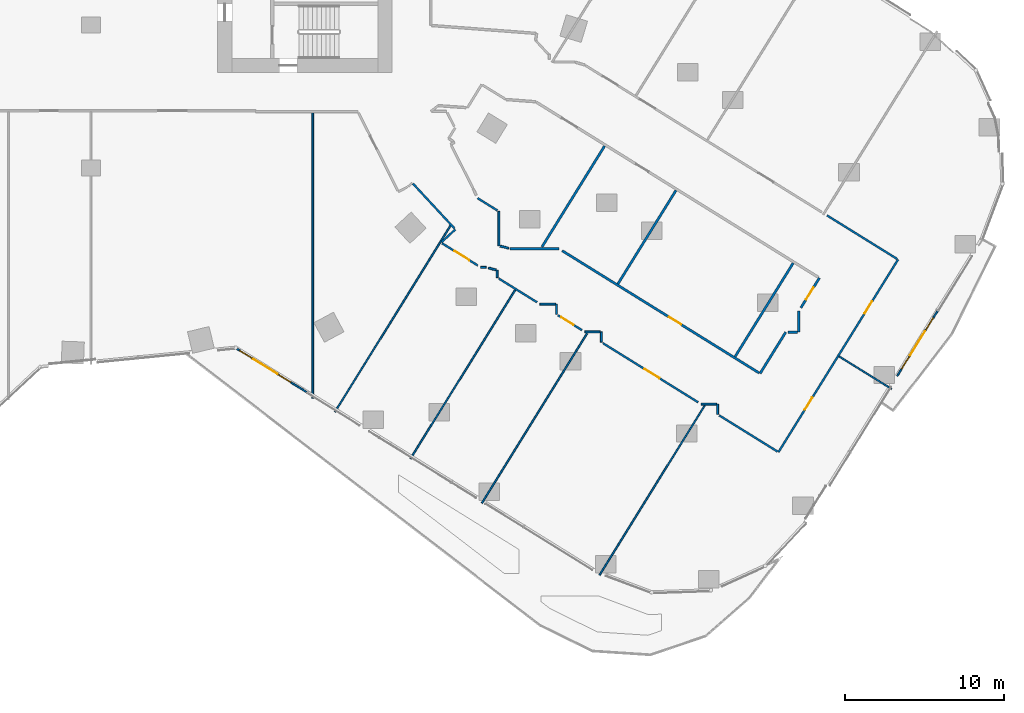
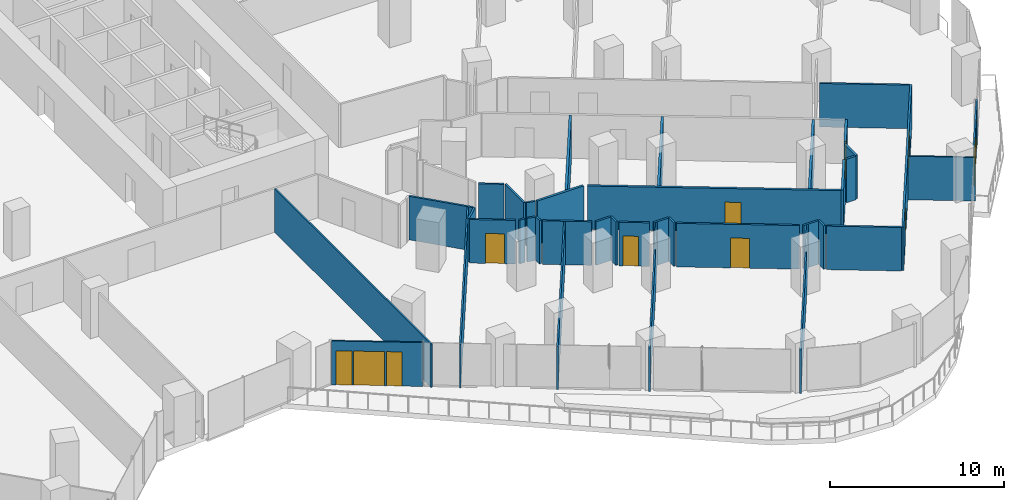
# One storey, part 26 of 34: 38 walls, 9 doors, 4 windows, 13 openings.
"""IFC4 building model written with IfcOpenShell, lengths in metres."""

from ifc_helpers import new_model, si_unit, direction, frame, frame_2d, origin, place, context, subcontext, project, spatial, rectangle, extrude, material, layer, layer_set, type_object, element, fill, save


model = new_model("IFC4")

# Units and contexts
model_context = context("Model", 3, precision=1e-05, world=origin(), true_north=direction((0.0, 1.0)))
body_context = subcontext(model_context, "Body", "Model", "MODEL_VIEW")
ifc_project = project(units=[si_unit("LENGTHUNIT", "METRE"), si_unit("AREAUNIT", "SQUARE_METRE"), si_unit("VOLUMEUNIT", "CUBIC_METRE"), si_unit("PLANEANGLEUNIT", "RADIAN"), si_unit("MASSUNIT", "GRAM", prefix="KILO")], contexts=[model_context])

# Site, building, storey
site_placement = place(None, origin())
site = spatial("IfcSite", under=ifc_project, at=site_placement, CompositionType="ELEMENT")
building_placement = place(site_placement, origin())
building = spatial("IfcBuilding", under=site, at=building_placement, Name="Orlundy Tower", CompositionType="ELEMENT")
storey_placement = place(building_placement, frame((0.0, 0.0, 37.300048828125)))
storey = spatial("IfcBuildingStorey", under=building, at=storey_placement, Name="L07", CompositionType="ELEMENT", Elevation=37.300048828125)

# Walls
ifc_material_1 = material(Name="Gypsum board partition")
ifc_layer_1 = layer(ifc_material_1, 0.10009765625)
ifc_layer_set_1 = layer_set([ifc_layer_1], Name="Floor partition 100")
wall_type_1 = type_object("IfcWallType", Name="Floor partition 100", PredefinedType="PARTITIONING", material=ifc_layer_set_1)
wall_1_placement = place(storey_placement, frame((47.196044921875, -29.889892578125, 0.0), z_axis=(0.0, 0.0, 1.0), x_axis=(0.84964889907, -0.527348791891, 0.0)))
element("IfcWall", 1, at=wall_1_placement, inside=storey, type_object=wall_type_1, Name="wall-int-L07-029", PredefinedType="PARTITIONING", context=body_context, shape_type="SweptSolid", body=[
    extrude(rectangle(XDim=3.887451171875, YDim=0.10009765625, at=frame_2d((1.94384765625, 0.0))), origin(), (0.0, 0.0, 1.0), 3.06005859375),
])
wall_2_placement = place(storey_placement, frame((32.08203125, -43.68798828125, 0.0), z_axis=(0.0, 0.0, 1.0), x_axis=(0.527487900205, 0.849562543394, 0.0)))
element("IfcWall", 2, at=wall_2_placement, inside=storey, type_object=wall_type_1, Name="wall-int-L07-088", PredefinedType="PARTITIONING", context=body_context, shape_type="SweptSolid", body=[
    extrude(rectangle(XDim=12.587646484375, YDim=0.10009765625, at=frame_2d((6.2939453125, 0.0))), origin(), (0.0, 0.0, 1.0), 3.06005859375),
])
wall_3_placement = place(storey_placement, frame((24.662109375, -39.14599609375, 0.0), z_axis=(0.0, 0.0, 1.0), x_axis=(0.527433265795, 0.849596463112, 0.0)))
element("IfcWall", 3, at=wall_3_placement, inside=storey, type_object=wall_type_1, Name="wall-int-L07-091", PredefinedType="PARTITIONING", context=body_context, shape_type="SweptSolid", body=[
    extrude(rectangle(XDim=12.6025390625, YDim=0.10009765625, at=frame_2d((6.30126953125, 0.0))), origin(), (0.0, 0.0, 1.0), 3.06005859375),
])
wall_4_placement = place(storey_placement, frame((20.158935546875, -36.35009765625, 0.0), z_axis=(0.0, 0.0, 1.0), x_axis=(0.527477742042, 0.849568850447, 0.0)))
element("IfcWall", 4, at=wall_4_placement, inside=storey, type_object=wall_type_1, Name="wall-int-L07-094", PredefinedType="PARTITIONING", context=body_context, shape_type="SweptSolid", body=[
    extrude(rectangle(XDim=12.537109375, YDim=0.10009765625, at=frame_2d((6.2685546875, 0.0))), origin(), (0.0, 0.0, 1.0), 3.06005859375),
])
wall_5_placement = place(storey_placement, frame((15.39599609375, -33.39306640625, 0.0), z_axis=(0.0, 0.0, 1.0), x_axis=(0.527468891267, 0.849574345626, 0.0)))
element("IfcWall", 5, at=wall_5_placement, inside=storey, type_object=wall_type_1, Name="wall-int-L07-097", PredefinedType="PARTITIONING", context=body_context, shape_type="SweptSolid", body=[
    extrude(rectangle(XDim=13.81298828125, YDim=0.10009765625, at=frame_2d((6.906494140625, 0.0))), origin(), (0.0, 0.0, 1.0), 3.06005859375),
])
wall_6_placement = place(storey_placement, frame((14.0, -32.527099609375, 0.0), z_axis=(0.0, 0.0, 1.0), x_axis=(0.0, 1.0, 0.0)))
element("IfcWall", 6, at=wall_6_placement, inside=storey, type_object=wall_type_1, Name="wall-int-L07-115", PredefinedType="PARTITIONING", context=body_context, shape_type="SweptSolid", body=[
    extrude(rectangle(XDim=18.01318359375, YDim=0.10009765625, at=frame_2d((9.006591796875, 0.0))), origin(), (0.0, 0.0, 1.0), 3.06005859375),
])
ifc_material_2 = material(Name="Gypsum board partition, double layer")
ifc_layer_2 = layer(ifc_material_2, 0.125)
ifc_layer_set_2 = layer_set([ifc_layer_2], Name="Floor partition 125")
wall_type_2 = type_object("IfcWallType", Name="Floor partition 125", PredefinedType="PARTITIONING", material=ifc_layer_set_2)
wall_7_placement = place(storey_placement, frame((20.31689453125, -18.993896484375, 0.0), z_axis=(0.0, 0.0, 1.0), x_axis=(0.679757225535, -0.733437191812, 0.0)))
element("IfcWall", 7, at=wall_7_placement, inside=storey, type_object=wall_type_2, Name="wall-int-L07-010", PredefinedType="PARTITIONING", context=body_context, shape_type="SweptSolid", body=[
    extrude(rectangle(XDim=3.875, YDim=0.125, at=frame_2d((1.9375, 0.0))), origin(), (0.0, 0.0, 1.0), 3.06005859375),
])
wall_8_placement = place(storey_placement, frame((24.39501953125, -19.912109375, 0.0), z_axis=(0.0, 0.0, 1.0), x_axis=(0.849378003629, -0.527785000689, 0.0)))
element("IfcWall", 8, at=wall_8_placement, inside=storey, type_object=wall_type_2, Name="wall-int-L07-022", PredefinedType="PARTITIONING", context=body_context, shape_type="SweptSolid", body=[
    extrude(rectangle(XDim=1.46826171875, YDim=0.125, at=frame_2d((0.734130859375, 0.0))), origin(), (0.0, 0.0, 1.0), 3.06005859375),
])

# Wall, opening, door
wall_9_placement = place(storey_placement, frame((30.97509765625, -28.23388671875, 0.0), z_axis=(0.0, 0.0, 1.0), x_axis=(-0.850042036272, 0.52671485319, 0.0)))
wall_9 = element("IfcWall", 9, at=wall_9_placement, inside=storey, type_object=wall_type_2, Name="wall-int-L07-023", PredefinedType="PARTITIONING", context=body_context, shape_type="SweptSolid", body=[
    extrude(rectangle(XDim=1.77294921875, YDim=0.125, at=frame_2d((0.886474609375, 0.0))), origin(), (0.0, 0.0, 1.0), 3.06005859375),
])
opening_1_placement = place(wall_9_placement, frame((0.630615234375, 0.0, 0.0)))
opening_1 = element("IfcOpeningElement", 10, at=opening_1_placement, cuts=wall_9, Name="Opening 08110", PredefinedType="OPENING", context=body_context, shape_type="SweptSolid", body=[
    extrude(rectangle(XDim=0.89990234375, YDim=2.10009765625, at=frame_2d((0.449951171875, 1.050048828125))), frame((0.0, 0.072509765625, 0.0), z_axis=(0.0, -1.0, 0.0), x_axis=(1.0, 0.0, 0.0)), (0.0, 0.0, 1.0), 0.14501953125),
])
ifc_material_3 = material(Name="Timber door leaf", Category="wood")
door_type_1 = type_object("IfcDoorType", Name="Floor door single 900 FD30S", OperationType="NOTDEFINED", PredefinedType="DOOR", material=ifc_material_3)
door_1_placement = place(opening_1_placement, origin())
door_1 = element("IfcDoor", 11, at=door_1_placement, inside=storey, type_object=door_type_1, Name="Door 08110", OperationType="SINGLE_SWING_RIGHT", OverallHeight=2.10009765625, OverallWidth=0.89990234375, PredefinedType="DOOR", context=body_context, shape_type="SweptSolid", body=[
    extrude(rectangle(XDim=0.89990234375, YDim=2.10009765625, at=frame_2d((0.449951171875, 1.050048828125))), frame((0.0, 0.02490234375, 0.0), z_axis=(0.0, -1.0, 0.0), x_axis=(1.0, 0.0, 0.0)), (0.0, 0.0, 1.0), 0.050048828125),
])
fill(opening_1, door_1)

wall_10_placement = place(storey_placement, frame((24.406005859375, -24.156005859375, 0.0), z_axis=(0.0, 0.0, 1.0), x_axis=(-0.849654435135, 0.527339872241, 0.0)))
wall_10 = element("IfcWall", 12, at=wall_10_placement, inside=storey, type_object=wall_type_2, Name="wall-int-L07-024", PredefinedType="PARTITIONING", context=body_context, shape_type="SweptSolid", body=[
    extrude(rectangle(XDim=2.6435546875, YDim=0.125, at=frame_2d((1.32177734375, 0.0))), origin(), (0.0, 0.0, 1.0), 3.06005859375),
])
opening_2_placement = place(wall_10_placement, frame((0.630859375, 0.0, 0.0)))
opening_2 = element("IfcOpeningElement", 13, at=opening_2_placement, cuts=wall_10, Name="Opening 08109", PredefinedType="OPENING", context=body_context, shape_type="SweptSolid", body=[
    extrude(rectangle(XDim=1.10009765625, YDim=2.10009765625, at=frame_2d((0.550048828125, 1.050048828125))), frame((0.0, 0.072509765625, 0.0), z_axis=(0.0, -1.0, 0.0), x_axis=(1.0, 0.0, 0.0)), (0.0, 0.0, 1.0), 0.14501953125),
])
ifc_material_4 = material(Name="Timber door leaf", Category="wood")
door_type_2 = type_object("IfcDoorType", Name="Floor door xwide 1100 FD30S", OperationType="NOTDEFINED", PredefinedType="DOOR", material=ifc_material_4)
door_2_placement = place(opening_2_placement, origin())
door_2 = element("IfcDoor", 14, at=door_2_placement, inside=storey, type_object=door_type_2, Name="Door 08109", OperationType="SINGLE_SWING_LEFT", OverallHeight=2.10009765625, OverallWidth=1.10009765625, PredefinedType="DOOR", context=body_context, shape_type="SweptSolid", body=[
    extrude(rectangle(XDim=1.10009765625, YDim=2.10009765625, at=frame_2d((0.550048828125, 1.050048828125))), frame((0.0, 0.02490234375, 0.0), z_axis=(0.0, -1.0, 0.0), x_axis=(1.0, 0.0, 0.0)), (0.0, 0.0, 1.0), 0.050048828125),
])
fill(opening_2, door_2)

# Wall
wall_11_placement = place(storey_placement, frame((25.72998046875, -24.97900390625, 0.0), z_axis=(0.0, 0.0, 1.0), x_axis=(0.849693269932, -0.527277296147, 0.0)))
element("IfcWall", 15, at=wall_11_placement, inside=storey, type_object=wall_type_2, Name="wall-int-L07-025", PredefinedType="PARTITIONING", context=body_context, shape_type="SweptSolid", body=[
    extrude(rectangle(XDim=2.841064453125, YDim=0.125, at=frame_2d((1.42041015625, 0.0))), origin(), (0.0, 0.0, 1.0), 3.06005859375),
])

# Wall, opening, door
wall_12_placement = place(storey_placement, frame((38.31005859375, -32.7880859375, 0.0), z_axis=(0.0, 0.0, 1.0), x_axis=(-0.849663629849, 0.527325057352, 0.0)))
wall_12 = element("IfcWall", 16, at=wall_12_placement, inside=storey, type_object=wall_type_2, Name="wall-int-L07-026", PredefinedType="PARTITIONING", context=body_context, shape_type="SweptSolid", body=[
    extrude(rectangle(XDim=7.073486328125, YDim=0.125, at=frame_2d((3.53662109375, 0.0))), origin(), (0.0, 0.0, 1.0), 3.06005859375),
])
opening_3_placement = place(wall_12_placement, frame((2.880859375, 0.0, 0.0)))
opening_3 = element("IfcOpeningElement", 17, at=opening_3_placement, cuts=wall_12, Name="Opening 08111", PredefinedType="OPENING", context=body_context, shape_type="SweptSolid", body=[
    extrude(rectangle(XDim=1.10009765625, YDim=2.10009765625, at=frame_2d((0.550048828125, 1.050048828125))), frame((0.0, 0.072509765625, 0.0), z_axis=(0.0, -1.0, 0.0), x_axis=(1.0, 0.0, 0.0)), (0.0, 0.0, 1.0), 0.14501953125),
])
door_3_placement = place(opening_3_placement, origin())
door_3 = element("IfcDoor", 18, at=door_3_placement, inside=storey, type_object=door_type_2, Name="Door 08111", OperationType="SINGLE_SWING_LEFT", OverallHeight=2.10009765625, OverallWidth=1.10009765625, PredefinedType="DOOR", context=body_context, shape_type="SweptSolid", body=[
    extrude(rectangle(XDim=1.10009765625, YDim=2.10009765625, at=frame_2d((0.550048828125, 1.050048828125))), frame((0.0, 0.02490234375, 0.0), z_axis=(0.0, -1.0, 0.0), x_axis=(1.0, 0.0, 0.0)), (0.0, 0.0, 1.0), 0.050048828125),
])
fill(opening_3, door_3)

# Walls
wall_13_placement = place(storey_placement, frame((39.635009765625, -33.612060546875, 0.0), z_axis=(0.0, 0.0, 1.0), x_axis=(0.849721068894, -0.527232496226, 0.0)))
element("IfcWall", 19, at=wall_13_placement, inside=storey, type_object=wall_type_2, Name="wall-int-L07-027", PredefinedType="PARTITIONING", context=body_context, shape_type="SweptSolid", body=[
    extrude(rectangle(XDim=4.335693359375, YDim=0.125, at=frame_2d((2.16796875, 0.0))), origin(), (0.0, 0.0, 1.0), 3.06005859375),
])
wall_14_placement = place(storey_placement, frame((46.43896484375, -21.0029296875, 0.0), z_axis=(0.0, 0.0, 1.0), x_axis=(0.849609726163, -0.527411900899, 0.0)))
element("IfcWall", 20, at=wall_14_placement, inside=storey, type_object=wall_type_2, Name="wall-int-L07-032", PredefinedType="PARTITIONING", context=body_context, shape_type="SweptSolid", body=[
    extrude(rectangle(XDim=5.204833984375, YDim=0.125, at=frame_2d((2.6025390625, 0.0))), origin(), (0.0, 0.0, 1.0), 3.06005859375),
])
wall_15_placement = place(storey_placement, frame((25.077880859375, -24.31396484375, 0.0), z_axis=(0.0, 0.0, 1.0), x_axis=(0.96949965475, -0.245092675207, 0.0)))
element("IfcWall", 21, at=wall_15_placement, inside=storey, type_object=wall_type_2, Name="wall-int-L07-037", PredefinedType="PARTITIONING", context=body_context, shape_type="SweptSolid", body=[
    extrude(rectangle(XDim=0.494140625, YDim=0.125, at=frame_2d((0.2470703125, 0.0))), origin(), (0.0, 0.0, 1.0), 3.06005859375),
])
wall_16_placement = place(storey_placement, frame((25.81689453125, -22.93310546875, 0.0), z_axis=(0.0, 0.0, 1.0), x_axis=(0.96962366247, -0.244601621375, 0.0)))
element("IfcWall", 22, at=wall_16_placement, inside=storey, type_object=wall_type_2, Name="wall-int-L07-038", PredefinedType="PARTITIONING", context=body_context, shape_type="SweptSolid", body=[
    extrude(rectangle(XDim=0.555908203125, YDim=0.125, at=frame_2d((0.27783203125, 0.0))), origin(), (0.0, 0.0, 1.0), 3.06005859375),
])
wall_17_placement = place(storey_placement, frame((38.49609375, -32.905029296875, 0.0), z_axis=(0.0, 0.0, 1.0), x_axis=(1.0, 0.0, 0.0)))
element("IfcWall", 23, at=wall_17_placement, inside=storey, type_object=wall_type_2, Name="wall-int-L07-045", PredefinedType="PARTITIONING", context=body_context, shape_type="SweptSolid", body=[
    extrude(rectangle(XDim=0.98095703125, YDim=0.125, at=frame_2d((0.490478515625, 0.0))), origin(), (0.0, 0.0, 1.0), 3.06005859375),
])
wall_18_placement = place(storey_placement, frame((31.160888671875, -28.35009765625, 0.0), z_axis=(0.0, 0.0, 1.0), x_axis=(1.0, 0.0, 0.0)))
element("IfcWall", 24, at=wall_18_placement, inside=storey, type_object=wall_type_2, Name="wall-int-L07-047", PredefinedType="PARTITIONING", context=body_context, shape_type="SweptSolid", body=[
    extrude(rectangle(XDim=0.981201171875, YDim=0.125, at=frame_2d((0.49072265625, 0.0))), origin(), (0.0, 0.0, 1.0), 3.06005859375),
])
wall_19_placement = place(storey_placement, frame((28.3291015625, -26.592041015625, 0.0), z_axis=(0.0, 0.0, 1.0), x_axis=(1.0, 0.0, 0.0)))
element("IfcWall", 25, at=wall_19_placement, inside=storey, type_object=wall_type_2, Name="wall-int-L07-048", PredefinedType="PARTITIONING", context=body_context, shape_type="SweptSolid", body=[
    extrude(rectangle(XDim=0.98193359375, YDim=0.125, at=frame_2d((0.490966796875, 0.0))), origin(), (0.0, 0.0, 1.0), 3.06005859375),
])
wall_20_placement = place(storey_placement, frame((24.592041015625, -24.27197265625, 0.0), z_axis=(0.0, 0.0, 1.0), x_axis=(1.0, 0.0, 0.0)))
element("IfcWall", 26, at=wall_20_placement, inside=storey, type_object=wall_type_2, Name="wall-int-L07-049", PredefinedType="PARTITIONING", context=body_context, shape_type="SweptSolid", body=[
    extrude(rectangle(XDim=0.342041015625, YDim=0.125, at=frame_2d((0.1708984375, 0.0))), origin(), (0.0, 0.0, 1.0), 3.06005859375),
])
wall_21_placement = place(storey_placement, frame((22.126953125, -22.68408203125, 0.0), z_axis=(0.0, 0.0, 1.0), x_axis=(0.733684285914, 0.679490521349, 0.0)))
element("IfcWall", 27, at=wall_21_placement, inside=storey, type_object=wall_type_2, Name="wall-int-L07-070", PredefinedType="PARTITIONING", context=body_context, shape_type="SweptSolid", body=[
    extrude(rectangle(XDim=1.180419921875, YDim=0.125, at=frame_2d((0.59033203125, 0.0))), origin(), (0.0, 0.0, 1.0), 3.06005859375),
])

# Wall, openings, doors
wall_22_placement = place(storey_placement, frame((50.916015625, -23.780029296875, 0.0), z_axis=(0.0, 0.0, 1.0), x_axis=(-0.527464838764, -0.84957686166, 0.0)))
wall_22 = element("IfcWall", 28, at=wall_22_placement, inside=storey, type_object=wall_type_2, Name="wall-int-L07-085", PredefinedType="PARTITIONING", context=body_context, shape_type="SweptSolid", body=[
    extrude(rectangle(XDim=14.30224609375, YDim=0.125, at=frame_2d((7.151123046875, 0.0))), origin(), (0.0, 0.0, 1.0), 3.06005859375),
])
opening_4_placement = place(wall_22_placement, frame((3.1025390625, 0.0, 0.0)))
opening_4 = element("IfcOpeningElement", 29, at=opening_4_placement, cuts=wall_22, Name="Opening 08107", PredefinedType="OPENING", context=body_context, shape_type="SweptSolid", body=[
    extrude(rectangle(XDim=0.89990234375, YDim=2.10009765625, at=frame_2d((0.449951171875, 1.050048828125))), frame((0.0, 0.072509765625, 0.0), z_axis=(0.0, -1.0, 0.0), x_axis=(1.0, 0.0, 0.0)), (0.0, 0.0, 1.0), 0.14501953125),
])
opening_5_placement = place(wall_22_placement, frame((10.25341796875, 0.0, 0.0)))
opening_5 = element("IfcOpeningElement", 30, at=opening_5_placement, cuts=wall_22, Name="Opening 08108", PredefinedType="OPENING", context=body_context, shape_type="SweptSolid", body=[
    extrude(rectangle(XDim=0.89990234375, YDim=2.10009765625, at=frame_2d((0.449951171875, 1.050048828125))), frame((0.0, 0.072509765625, 0.0), z_axis=(0.0, -1.0, 0.0), x_axis=(1.0, 0.0, 0.0)), (0.0, 0.0, 1.0), 0.14501953125),
])
door_4_placement = place(opening_4_placement, origin())
door_4 = element("IfcDoor", 31, at=door_4_placement, inside=storey, type_object=door_type_1, Name="Door 08107", OperationType="SINGLE_SWING_LEFT", OverallHeight=2.10009765625, OverallWidth=0.89990234375, PredefinedType="DOOR", context=body_context, shape_type="SweptSolid", body=[
    extrude(rectangle(XDim=0.89990234375, YDim=2.10009765625, at=frame_2d((0.449951171875, 1.050048828125))), frame((0.0, 0.02490234375, 0.0), z_axis=(0.0, -1.0, 0.0), x_axis=(1.0, 0.0, 0.0)), (0.0, 0.0, 1.0), 0.050048828125),
])
fill(opening_4, door_4)
door_5_placement = place(opening_5_placement, origin())
door_5 = element("IfcDoor", 32, at=door_5_placement, inside=storey, type_object=door_type_1, Name="Door 08108", OperationType="SINGLE_SWING_RIGHT", OverallHeight=2.10009765625, OverallWidth=0.89990234375, PredefinedType="DOOR", context=body_context, shape_type="SweptSolid", body=[
    extrude(rectangle(XDim=0.89990234375, YDim=2.10009765625, at=frame_2d((0.449951171875, 1.050048828125))), frame((0.0, 0.02490234375, 0.0), z_axis=(0.0, -1.0, 0.0), x_axis=(1.0, 0.0, 0.0)), (0.0, 0.0, 1.0), 0.050048828125),
])
fill(opening_5, door_5)

# Walls
for number, where, z_axis, x_axis, name in (
    (33, (39.5400390625, -33.552978515625, 0.0), (0.0, 0.0, 1.0), (0.0, 1.0, 0.0), "wall-int-L07-107"),
    (34, (32.2041015625, -28.998046875, 0.0), (0.0, 0.0, 1.0), (0.0, 1.0, 0.0), "wall-int-L07-108"),
):
    element("IfcWall", number, at=place(storey_placement, frame(where, z_axis=z_axis, x_axis=x_axis)), inside=storey, type_object=wall_type_2, Name=name, PredefinedType="PARTITIONING", context=body_context, shape_type="SweptSolid", body=[
        extrude(rectangle(XDim=0.64794921875, YDim=0.125, at=frame_2d((0.323974609375, 0.0))), origin(), (0.0, 0.0, 1.0), 3.06005859375),
    ])
wall_23_placement = place(storey_placement, frame((29.373046875, -27.240966796875, 0.0), z_axis=(0.0, 0.0, 1.0), x_axis=(0.0, 1.0, 0.0)))
element("IfcWall", 35, at=wall_23_placement, inside=storey, type_object=wall_type_2, Name="wall-int-L07-109", PredefinedType="PARTITIONING", context=body_context, shape_type="SweptSolid", body=[
    extrude(rectangle(XDim=0.64892578125, YDim=0.125, at=frame_2d((0.324462890625, 0.0))), origin(), (0.0, 0.0, 1.0), 3.06005859375),
])
wall_24_placement = place(storey_placement, frame((25.739013671875, -22.9130859375, 0.0), z_axis=(0.0, 0.0, 1.0), x_axis=(0.0, 1.0, 0.0)))
element("IfcWall", 36, at=wall_24_placement, inside=storey, type_object=wall_type_2, Name="wall-int-L07-111", PredefinedType="PARTITIONING", context=body_context, shape_type="SweptSolid", body=[
    extrude(rectangle(XDim=2.1669921875, YDim=0.125, at=frame_2d((1.08349609375, 0.0))), origin(), (0.0, 0.0, 1.0), 3.06005859375),
])
wall_25_placement = place(storey_placement, frame((25.635009765625, -24.919921875, 0.0), z_axis=(0.0, 0.0, 1.0), x_axis=(0.0, 1.0, 0.0)))
element("IfcWall", 37, at=wall_25_placement, inside=storey, type_object=wall_type_2, Name="wall-int-L07-112", PredefinedType="PARTITIONING", context=body_context, shape_type="SweptSolid", body=[
    extrude(rectangle(XDim=0.46484375, YDim=0.125, at=frame_2d((0.232421875, 0.0))), origin(), (0.0, 0.0, 1.0), 3.06005859375),
])

# Wall, opening, door
ifc_material_5 = material(Name="Blockwork shaft wall", Category="masonry")
ifc_layer_3 = layer(ifc_material_5, 0.14990234375)
ifc_layer_set_3 = layer_set([ifc_layer_3], Name="Floor shaft wall 150")
wall_type_3 = type_object("IfcWallType", Name="Floor shaft wall 150", PredefinedType="PARTITIONING", material=ifc_layer_set_3)
wall_26_placement = place(storey_placement, frame((29.735107421875, -23.22802734375, 0.0), z_axis=(0.0, 0.0, 1.0), x_axis=(0.849593173651, -0.527438564466, 0.0)))
wall_26 = element("IfcWall", 38, at=wall_26_placement, inside=storey, type_object=wall_type_3, Name="wall-int-L07-028", PredefinedType="PARTITIONING", context=body_context, shape_type="SweptSolid", body=[
    extrude(rectangle(XDim=14.6103515625, YDim=0.14990234375, at=frame_2d((7.30517578125, 0.0))), origin(), (0.0, 0.0, 1.0), 3.06005859375),
])
opening_6_placement = place(wall_26_placement, frame((7.936279296875, 0.0, 0.0)))
opening_6 = element("IfcOpeningElement", 39, at=opening_6_placement, cuts=wall_26, Name="Opening 08106", PredefinedType="OPENING", context=body_context, shape_type="SweptSolid", body=[
    extrude(rectangle(XDim=0.89990234375, YDim=2.10009765625, at=frame_2d((0.449951171875, 1.050048828125))), frame((0.0, 0.0849609375, 0.0), z_axis=(0.0, -1.0, 0.0), x_axis=(1.0, 0.0, 0.0)), (0.0, 0.0, 1.0), 0.169921875),
])
ifc_material_6 = material(Name="Timber door leaf", Category="wood")
door_type_3 = type_object("IfcDoorType", Name="Floor door single 900 FD60", OperationType="NOTDEFINED", PredefinedType="DOOR", material=ifc_material_6)
door_6_placement = place(opening_6_placement, origin())
door_6 = element("IfcDoor", 40, at=door_6_placement, inside=storey, type_object=door_type_3, Name="Door 08106", OperationType="SINGLE_SWING_RIGHT", OverallHeight=2.10009765625, OverallWidth=0.89990234375, PredefinedType="DOOR", context=body_context, shape_type="SweptSolid", body=[
    extrude(rectangle(XDim=0.89990234375, YDim=2.10009765625, at=frame_2d((0.449951171875, 1.050048828125))), frame((0.0, 0.02490234375, 0.0), z_axis=(0.0, -1.0, 0.0), x_axis=(1.0, 0.0, 0.0)), (0.0, 0.0, 1.0), 0.050048828125),
])
fill(opening_6, door_6)

# Walls
wall_27_placement = place(storey_placement, frame((43.968017578125, -28.363037109375, 0.0), z_axis=(0.0, 0.0, 1.0), x_axis=(1.0, 0.0, 0.0)))
element("IfcWall", 41, at=wall_27_placement, inside=storey, type_object=wall_type_3, Name="wall-int-L07-046", PredefinedType="PARTITIONING", context=body_context, shape_type="SweptSolid", body=[
    extrude(rectangle(XDim=0.613037109375, YDim=0.14990234375, at=frame_2d((0.306640625, 0.0))), origin(), (0.0, 0.0, 1.0), 3.06005859375),
])
wall_28_placement = place(storey_placement, frame((26.43896484375, -23.094970703125, 0.0), z_axis=(0.0, 0.0, 1.0), x_axis=(1.0, 0.0, 0.0)))
element("IfcWall", 42, at=wall_28_placement, inside=storey, type_object=wall_type_3, Name="wall-int-L07-050", PredefinedType="PARTITIONING", context=body_context, shape_type="SweptSolid", body=[
    extrude(rectangle(XDim=3.083984375, YDim=0.14990234375, at=frame_2d((1.5419921875, 0.0))), origin(), (0.0, 0.0, 1.0), 3.06005859375),
])
wall_29_placement = place(storey_placement, frame((42.2119140625, -30.972900390625, 0.0), z_axis=(0.0, 0.0, 1.0), x_axis=(0.527639763473, 0.849468233663, 0.0)))
element("IfcWall", 43, at=wall_29_placement, inside=storey, type_object=wall_type_3, Name="wall-int-L07-086", PredefinedType="PARTITIONING", context=body_context, shape_type="SweptSolid", body=[
    extrude(rectangle(XDim=3.072265625, YDim=0.14990234375, at=frame_2d((1.5361328125, 0.0))), origin(), (0.0, 0.0, 1.0), 3.06005859375),
])

# Wall, opening, door
wall_30_placement = place(storey_placement, frame((44.7880859375, -26.824951171875, 0.0), z_axis=(0.0, 0.0, 1.0), x_axis=(0.527094056537, 0.849806951938, 0.0)))
wall_30 = element("IfcWall", 44, at=wall_30_placement, inside=storey, type_object=wall_type_3, Name="wall-int-L07-087", PredefinedType="PARTITIONING", context=body_context, shape_type="SweptSolid", body=[
    extrude(rectangle(XDim=2.2158203125, YDim=0.14990234375, at=frame_2d((1.10791015625, 0.0))), origin(), (0.0, 0.0, 1.0), 3.06005859375),
])
opening_7_placement = place(wall_30_placement, frame((0.60009765625, 0.0, 0.0)))
opening_7 = element("IfcOpeningElement", 45, at=opening_7_placement, cuts=wall_30, Name="Opening 08101", PredefinedType="OPENING", context=body_context, shape_type="SweptSolid", body=[
    extrude(rectangle(XDim=0.89990234375, YDim=2.10009765625, at=frame_2d((0.449951171875, 1.050048828125))), frame((0.0, 0.0849609375, 0.0), z_axis=(0.0, -1.0, 0.0), x_axis=(1.0, 0.0, 0.0)), (0.0, 0.0, 1.0), 0.169921875),
])
door_7_placement = place(opening_7_placement, origin())
door_7 = element("IfcDoor", 46, at=door_7_placement, inside=storey, type_object=door_type_3, Name="Door 08101", OperationType="SINGLE_SWING_LEFT", OverallHeight=2.10009765625, OverallWidth=0.89990234375, PredefinedType="DOOR", context=body_context, shape_type="SweptSolid", body=[
    extrude(rectangle(XDim=0.89990234375, YDim=2.10009765625, at=frame_2d((0.449951171875, 1.050048828125))), frame((0.0, 0.02490234375, 0.0), z_axis=(0.0, -1.0, 0.0), x_axis=(1.0, 0.0, 0.0)), (0.0, 0.0, 1.0), 0.050048828125),
])
fill(opening_7, door_7)

# Walls
for number, where, z_axis, x_axis, name in (
    (47, (40.637939453125, -29.906982421875, 0.0), (0.0, 0.0, 1.0), (0.527371608889, 0.849634736895, 0.0), "wall-int-L07-089"),
    (48, (33.2470703125, -25.319091796875, 0.0), (0.0, 0.0, 1.0), (0.527346241806, 0.849650481818, 0.0), "wall-int-L07-092"),
):
    element("IfcWall", number, at=place(storey_placement, frame(where, z_axis=z_axis, x_axis=x_axis)), inside=storey, type_object=wall_type_3, Name=name, PredefinedType="PARTITIONING", context=body_context, shape_type="SweptSolid", body=[
        extrude(rectangle(XDim=6.94775390625, YDim=0.14990234375, at=frame_2d((3.473876953125, 0.0))), origin(), (0.0, 0.0, 1.0), 3.06005859375),
    ])
wall_31_placement = place(storey_placement, frame((28.4599609375, -22.97998046875, 0.0), z_axis=(0.0, 0.0, 1.0), x_axis=(0.527410761015, 0.849610433767, 0.0)))
element("IfcWall", 49, at=wall_31_placement, inside=storey, type_object=wall_type_3, Name="wall-int-L07-095", PredefinedType="PARTITIONING", context=body_context, shape_type="SweptSolid", body=[
    extrude(rectangle(XDim=7.485595703125, YDim=0.14990234375, at=frame_2d((3.74267578125, 0.0))), origin(), (0.0, 0.0, 1.0), 3.06005859375),
])
wall_32_placement = place(storey_placement, frame((44.656005859375, -28.363037109375, 0.0), z_axis=(0.0, 0.0, 1.0), x_axis=(0.0, 1.0, 0.0)))
element("IfcWall", 50, at=wall_32_placement, inside=storey, type_object=wall_type_3, Name="wall-int-L07-106", PredefinedType="PARTITIONING", context=body_context, shape_type="SweptSolid", body=[
    extrude(rectangle(XDim=1.325927734375, YDim=0.14990234375, at=frame_2d((0.6630859375, 0.0))), origin(), (0.0, 0.0, 1.0), 3.06005859375),
])

# Wall, openings, windows, door
ifc_material_7 = material(Name="Aluminium bronze and tinted glass", Category="aluminium")
ifc_layer_4 = layer(ifc_material_7, 0.10009765625)
ifc_layer_set_4 = layer_set([ifc_layer_4], Name="Glazed door screen")
wall_type_4 = type_object("IfcWallType", Name="Glazed door screen", PredefinedType="STANDARD", material=ifc_layer_set_4)
wall_33_placement = place(storey_placement, frame((53.4169921875, -27.012939453125, 0.0), z_axis=(0.0, 0.0, 1.0), x_axis=(-0.527459466272, -0.84958019718, 0.0)))
wall_33 = element("IfcWall", 51, at=wall_33_placement, inside=storey, type_object=wall_type_4, Name="Glazed door screen", PredefinedType="STANDARD", context=body_context, shape_type="SweptSolid", body=[
    extrude(rectangle(XDim=4.84375, YDim=0.10009765625, at=frame_2d((2.421875, 0.0))), origin(), (0.0, 0.0, 1.0), 3.079833984375),
])
opening_8_placement = place(wall_33_placement, frame((1.521728515625, 0.0, 0.0)))
opening_8 = element("IfcOpeningElement", 52, at=opening_8_placement, cuts=wall_33, Name="Opening 08941", PredefinedType="OPENING", context=body_context, shape_type="SweptSolid", body=[
    extrude(rectangle(XDim=1.800048828125, YDim=2.39990234375, at=frame_2d((0.89990234375, 1.199951171875))), frame((0.0, 0.06005859375, 0.0), z_axis=(0.0, -1.0, 0.0), x_axis=(1.0, 0.0, 0.0)), (0.0, 0.0, 1.0), 0.1201171875),
])
opening_9_placement = place(wall_33_placement, frame((0.521728515625, 0.0, 0.0)))
opening_9 = element("IfcOpeningElement", 53, at=opening_9_placement, cuts=wall_33, Name="Opening W02", PredefinedType="OPENING", context=body_context, shape_type="SweptSolid", body=[
    extrude(rectangle(XDim=0.89990234375, YDim=2.39990234375, at=frame_2d((0.449951171875, 1.199951171875))), frame((0.0, 0.06005859375, 0.0), z_axis=(0.0, -1.0, 0.0), x_axis=(1.0, 0.0, 0.0)), (0.0, 0.0, 1.0), 0.1201171875),
])
opening_10_placement = place(wall_33_placement, frame((3.421875, 0.0, 0.0)))
opening_10 = element("IfcOpeningElement", 54, at=opening_10_placement, cuts=wall_33, Name="Opening W02", PredefinedType="OPENING", context=body_context, shape_type="SweptSolid", body=[
    extrude(rectangle(XDim=0.89990234375, YDim=2.39990234375, at=frame_2d((0.449951171875, 1.199951171875))), frame((0.0, 0.06005859375, 0.0), z_axis=(0.0, -1.0, 0.0), x_axis=(1.0, 0.0, 0.0)), (0.0, 0.0, 1.0), 0.1201171875),
])
ifc_material_8 = material(Name="Tinted glass in bronze aluminium frame", Category="aluminium")
window_type = type_object("IfcWindowType", Name="SL2 sidelight 900x2400", PartitioningType="SINGLE_PANEL", PredefinedType="WINDOW", material=ifc_material_8)
window_1_placement = place(opening_9_placement, origin())
window_1 = element("IfcWindow", 55, at=window_1_placement, inside=storey, type_object=window_type, Name="Window W02 L07", OverallHeight=2.39990234375, OverallWidth=0.89990234375, PartitioningType="SINGLE_PANEL", PredefinedType="WINDOW", context=body_context, shape_type="SweptSolid", body=[
    extrude(rectangle(XDim=0.89990234375, YDim=2.39990234375, at=frame_2d((0.449951171875, 1.199951171875))), frame((0.0, 0.030029296875, 0.0), z_axis=(0.0, -1.0, 0.0), x_axis=(1.0, 0.0, 0.0)), (0.0, 0.0, 1.0), 0.06005859375),
])
fill(opening_9, window_1)
window_2_placement = place(opening_10_placement, origin())
window_2 = element("IfcWindow", 56, at=window_2_placement, inside=storey, type_object=window_type, Name="Window W02 L07", OverallHeight=2.39990234375, OverallWidth=0.89990234375, PartitioningType="SINGLE_PANEL", PredefinedType="WINDOW", context=body_context, shape_type="SweptSolid", body=[
    extrude(rectangle(XDim=0.89990234375, YDim=2.39990234375, at=frame_2d((0.449951171875, 1.199951171875))), frame((0.0, 0.030029296875, 0.0), z_axis=(0.0, -1.0, 0.0), x_axis=(1.0, 0.0, 0.0)), (0.0, 0.0, 1.0), 0.06005859375),
])
fill(opening_10, window_2)
ifc_material_9 = material(Name="Aluminium bronze and tinted glass", Category="aluminium")
door_type_4 = type_object("IfcDoorType", Name="TD3 terrace sliding door 1800x2400", OperationType="DOUBLE_DOOR_SLIDING", PredefinedType="DOOR", material=ifc_material_9)
door_8_placement = place(opening_8_placement, origin())
door_8 = element("IfcDoor", 57, at=door_8_placement, inside=storey, type_object=door_type_4, Name="Door 08941", OperationType="DOUBLE_DOOR_SLIDING", OverallHeight=2.39990234375, OverallWidth=1.800048828125, PredefinedType="DOOR", context=body_context, shape_type="SweptSolid", body=[
    extrude(rectangle(XDim=1.800048828125, YDim=2.39990234375, at=frame_2d((0.89990234375, 1.199951171875))), frame((0.0, 0.02490234375, 0.0), z_axis=(0.0, -1.0, 0.0), x_axis=(1.0, 0.0, 0.0)), (0.0, 0.0, 1.0), 0.050048828125),
])
fill(opening_8, door_8)

wall_34_placement = place(storey_placement, frame((13.63623046875, -32.15966796875, 0.0), z_axis=(0.0, 0.0, 1.0), x_axis=(-0.849575099281, 0.527467677381, 0.0)))
wall_34 = element("IfcWall", 58, at=wall_34_placement, inside=storey, type_object=wall_type_4, Name="Glazed door screen", PredefinedType="STANDARD", context=body_context, shape_type="SweptSolid", body=[
    extrude(rectangle(XDim=5.276123046875, YDim=0.10009765625, at=frame_2d((2.63818359375, 0.0))), origin(), (0.0, 0.0, 1.0), 3.079833984375),
])
opening_11_placement = place(wall_34_placement, frame((2.19970703125, 0.0, 0.0)))
opening_11 = element("IfcOpeningElement", 59, at=opening_11_placement, cuts=wall_34, Name="Opening 08942", PredefinedType="OPENING", context=body_context, shape_type="SweptSolid", body=[
    extrude(rectangle(XDim=1.800048828125, YDim=2.39990234375, at=frame_2d((0.89990234375, 1.199951171875))), frame((0.0, 0.06005859375, 0.0), z_axis=(0.0, -1.0, 0.0), x_axis=(1.0, 0.0, 0.0)), (0.0, 0.0, 1.0), 0.1201171875),
])
opening_12_placement = place(wall_34_placement, frame((1.19970703125, 0.0, 0.0)))
opening_12 = element("IfcOpeningElement", 60, at=opening_12_placement, cuts=wall_34, Name="Opening W02", PredefinedType="OPENING", context=body_context, shape_type="SweptSolid", body=[
    extrude(rectangle(XDim=0.89990234375, YDim=2.39990234375, at=frame_2d((0.449951171875, 1.199951171875))), frame((0.0, 0.06005859375, 0.0), z_axis=(0.0, -1.0, 0.0), x_axis=(1.0, 0.0, 0.0)), (0.0, 0.0, 1.0), 0.1201171875),
])
opening_13_placement = place(wall_34_placement, frame((4.099853515625, 0.0, 0.0)))
opening_13 = element("IfcOpeningElement", 61, at=opening_13_placement, cuts=wall_34, Name="Opening W02", PredefinedType="OPENING", context=body_context, shape_type="SweptSolid", body=[
    extrude(rectangle(XDim=0.89990234375, YDim=2.39990234375, at=frame_2d((0.449951171875, 1.199951171875))), frame((0.0, 0.06005859375, 0.0), z_axis=(0.0, -1.0, 0.0), x_axis=(1.0, 0.0, 0.0)), (0.0, 0.0, 1.0), 0.1201171875),
])
window_3_placement = place(opening_12_placement, origin())
window_3 = element("IfcWindow", 62, at=window_3_placement, inside=storey, type_object=window_type, Name="Window W02 L07", OverallHeight=2.39990234375, OverallWidth=0.89990234375, PartitioningType="SINGLE_PANEL", PredefinedType="WINDOW", context=body_context, shape_type="SweptSolid", body=[
    extrude(rectangle(XDim=0.89990234375, YDim=2.39990234375, at=frame_2d((0.449951171875, 1.199951171875))), frame((0.0, 0.030029296875, 0.0), z_axis=(0.0, -1.0, 0.0), x_axis=(1.0, 0.0, 0.0)), (0.0, 0.0, 1.0), 0.06005859375),
])
fill(opening_12, window_3)
window_4_placement = place(opening_13_placement, origin())
window_4 = element("IfcWindow", 63, at=window_4_placement, inside=storey, type_object=window_type, Name="Window W02 L07", OverallHeight=2.39990234375, OverallWidth=0.89990234375, PartitioningType="SINGLE_PANEL", PredefinedType="WINDOW", context=body_context, shape_type="SweptSolid", body=[
    extrude(rectangle(XDim=0.89990234375, YDim=2.39990234375, at=frame_2d((0.449951171875, 1.199951171875))), frame((0.0, 0.030029296875, 0.0), z_axis=(0.0, -1.0, 0.0), x_axis=(1.0, 0.0, 0.0)), (0.0, 0.0, 1.0), 0.06005859375),
])
fill(opening_13, window_4)
ifc_material_10 = material(Name="Aluminium bronze and tinted glass", Category="aluminium")
door_type_5 = type_object("IfcDoorType", Name="TD1 terrace door 1800x2400", OperationType="NOTDEFINED", PredefinedType="DOOR", material=ifc_material_10)
door_9_placement = place(opening_11_placement, origin())
door_9 = element("IfcDoor", 64, at=door_9_placement, inside=storey, type_object=door_type_5, Name="Door 08942", OperationType="DOUBLE_DOOR_SINGLE_SWING", OverallHeight=2.39990234375, OverallWidth=1.800048828125, PredefinedType="DOOR", context=body_context, shape_type="SweptSolid", body=[
    extrude(rectangle(XDim=1.800048828125, YDim=2.39990234375, at=frame_2d((0.89990234375, 1.199951171875))), frame((0.0, 0.02490234375, 0.0), z_axis=(0.0, -1.0, 0.0), x_axis=(1.0, 0.0, 0.0)), (0.0, 0.0, 1.0), 0.050048828125),
])
fill(opening_11, door_9)

save(model, "model.ifc")
